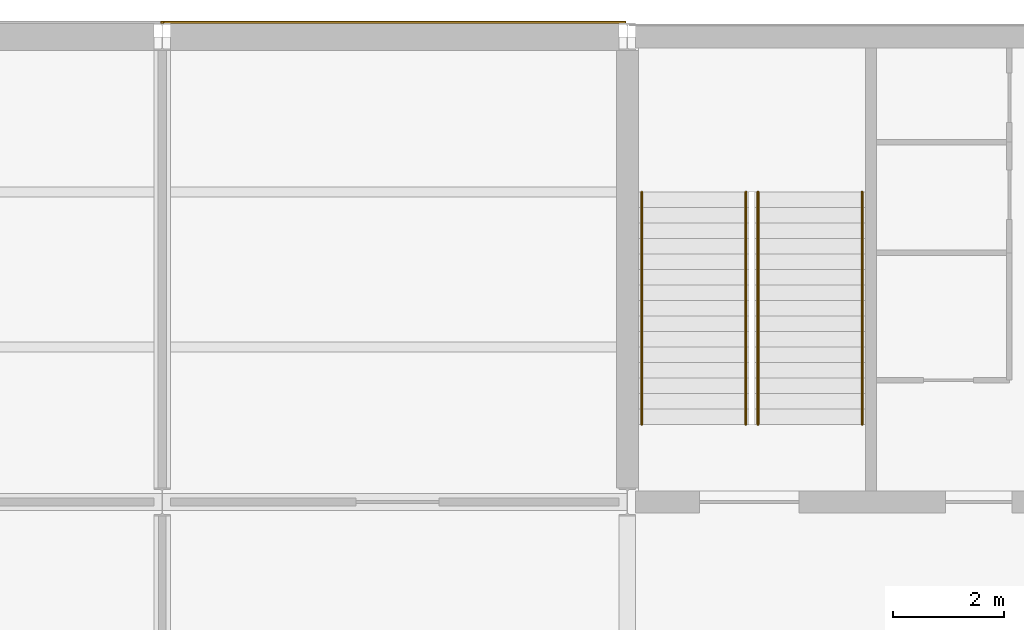
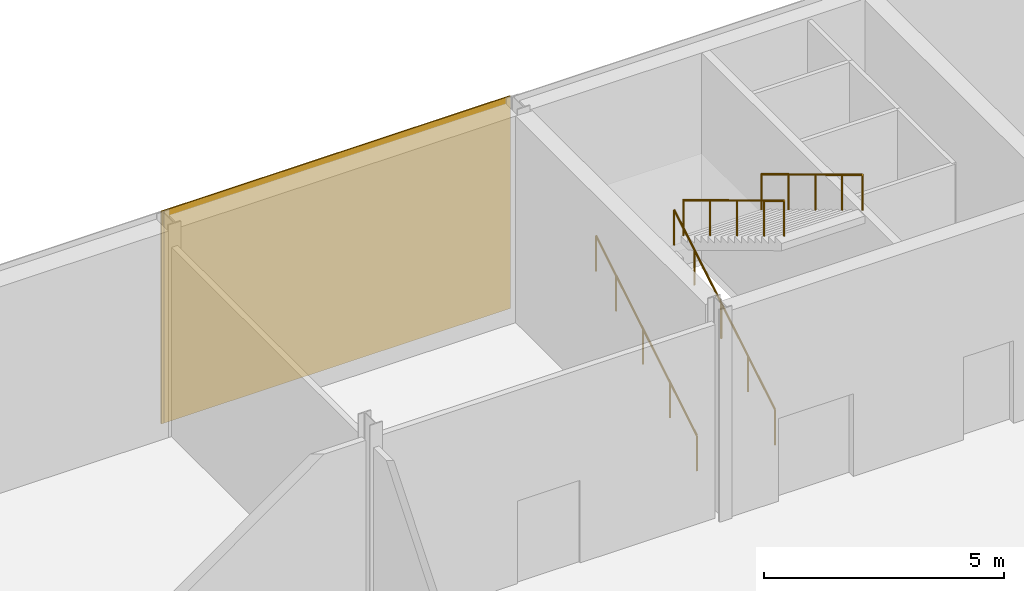
# One storey, part 54 of 64: 4 railings, 2 coverings.
"""IFC4 building model written with IfcOpenShell, lengths in metres."""

from ifc_helpers import new_model, si_unit, direction, frame, origin, origin_2d, place, context, subcontext, project, spatial, rectangle, circle, extrude, material, layer, layer_set, type_object, element, save


model = new_model("IFC4")

# Units and contexts
model_context = context("Model", 3, precision=1e-05, world=origin(), true_north=direction((0.0, 1.0)))
body_context = subcontext(model_context, "Body", "Model", "MODEL_VIEW")
ifc_project = project(units=[si_unit("LENGTHUNIT", "METRE"), si_unit("AREAUNIT", "SQUARE_METRE"), si_unit("VOLUMEUNIT", "CUBIC_METRE"), si_unit("PLANEANGLEUNIT", "RADIAN"), si_unit("MASSUNIT", "GRAM", prefix="KILO")], contexts=[model_context])

# Site, building, storey
site_placement = place(None, origin())
site = spatial("IfcSite", under=ifc_project, at=site_placement, CompositionType="ELEMENT")
building_placement = place(site_placement, origin())
building = spatial("IfcBuilding", under=site, at=building_placement, Name="Galleria Vessillo Department Store", CompositionType="ELEMENT")
storey_placement = place(building_placement, frame((0.0, 0.0, 6.0)))
storey = spatial("IfcBuildingStorey", under=building, at=storey_placement, Name="L01", CompositionType="ELEMENT", Elevation=6.0)

# Coverings
ifc_material_1 = material(Name="Lime plaster (intonaco) ochre")
ifc_layer = layer(ifc_material_1, 0.030029296875)
ifc_layer_set = layer_set([ifc_layer], Name="Lime plaster (intonaco) ochre")
covering_type = type_object("IfcCoveringType", Name="Lime plaster render 30 mm", PredefinedType="CLADDING", material=ifc_layer_set)
covering_1_placement = place(storey_placement, frame((54.60009765625, 63.264892578125, 0.0), z_axis=(0.0, 0.0, 1.0), x_axis=(1.0, 0.0, 0.0)))
element("IfcCovering", 1, at=covering_1_placement, inside=storey, type_object=covering_type, Name="Wall cladding S-PN-L01-05", PredefinedType="CLADDING", context=body_context, shape_type="SweptSolid", body=[
    extrude(rectangle(XDim=8.34033203125, YDim=0.030029296875, at=origin_2d()), origin(), (0.0, 0.0, 1.0), 5.39990234375),
])
covering_2_placement = place(storey_placement, frame((50.39990234375, 63.264892578125, 0.0), z_axis=(0.0, 0.0, 1.0), x_axis=(1.0, 0.0, 0.0)))
element("IfcCovering", 2, at=covering_2_placement, inside=storey, type_object=covering_type, Name="Joint block Wall cladding S-PN-L01-04", PredefinedType="CLADDING", context=body_context, shape_type="SweptSolid", body=[
    extrude(rectangle(XDim=0.059814453125, YDim=0.030029296875, at=origin_2d()), origin(), (0.0, 0.0, 1.0), 5.39990234375),
])

# Railings
ifc_material_2 = material(Name="Stainless steel tube", Category="steel")
railing_type = type_object("IfcRailingType", Name="Stair handrail steel tube 48 mm", PredefinedType="HANDRAIL", material=ifc_material_2)
for number, where, name in (
    (3, (59.06005859375, 56.0, 0.168701171875), "Handrail ST11 L01 flight 1A"),
    (4, (60.93994140625, 56.0, 0.168701171875), "Handrail ST11 L01 flight 1B"),
):
    element("IfcRailing", number, at=place(storey_placement, frame(where)), inside=storey, type_object=railing_type, Name=name, PredefinedType="HANDRAIL", context=body_context, shape_type="SweptSolid", body=[
        extrude(circle(Radius=0.02392578125, at=origin_2d()), frame((0.0, 0.0, 0.89599609375), z_axis=(0.0, 0.856486514401, 0.516169401116), x_axis=(-1.0, 0.0, 0.0)), (0.0, 0.0, 1.0), 1.307861328125),
        extrude(circle(Radius=0.02392578125, at=origin_2d()), frame((0.0, 1.1201171875, 1.57080078125), z_axis=(0.0, 0.856436765236, 0.516251941548), x_axis=(-1.0, 0.0, 0.0)), (0.0, 0.0, 1.0), 1.3076171875),
        extrude(circle(Radius=0.02392578125, at=origin_2d()), frame((0.0, 2.239990234375, 2.24609375), z_axis=(0.0, 0.856486514401, 0.516169401116), x_axis=(-1.0, 0.0, 0.0)), (0.0, 0.0, 1.0), 1.307861328125),
        extrude(circle(Radius=0.02392578125, at=origin_2d()), frame((0.0, 3.360107421875, 2.9208984375), z_axis=(0.0, 0.856502732318, 0.516142489563), x_axis=(-1.0, 0.0, 0.0)), (0.0, 0.0, 1.0), 0.98046875),
        extrude(circle(Radius=0.02099609375, at=origin_2d()), origin(), (0.0, 0.0, 1.0), 0.871826171875),
        extrude(circle(Radius=0.02099609375, at=origin_2d()), frame((0.0, 1.1201171875, 0.675048828125)), (0.0, 0.0, 1.0), 0.871826171875),
        extrude(circle(Radius=0.02099609375, at=origin_2d()), frame((0.0, 2.239990234375, 1.35009765625)), (0.0, 0.0, 1.0), 0.871826171875),
        extrude(circle(Radius=0.02099609375, at=origin_2d()), frame((0.0, 3.360107421875, 2.025146484375)), (0.0, 0.0, 1.0), 0.871826171875),
        extrude(circle(Radius=0.02099609375, at=origin_2d()), frame((0.0, 4.199951171875, 2.53125)), (0.0, 0.0, 1.0), 0.871826171875),
    ])
for number, where, name in (
    (5, (63.0400390625, 60.199951171875, 2.86865234375), "Handrail ST11 L01 flight 2A"),
    (6, (61.16015625, 60.199951171875, 2.86865234375), "Handrail ST11 L01 flight 2B"),
):
    element("IfcRailing", number, at=place(storey_placement, frame(where)), inside=storey, type_object=railing_type, Name=name, PredefinedType="HANDRAIL", context=body_context, shape_type="SweptSolid", body=[
        extrude(circle(Radius=0.02392578125, at=origin_2d()), frame((0.0, 0.0, 0.89599609375), z_axis=(0.0, -0.856486514401, 0.516169401116), x_axis=(1.0, 0.0, 0.0)), (0.0, 0.0, 1.0), 1.307861328125),
        extrude(circle(Radius=0.02392578125, at=origin_2d()), frame((0.0, -1.1201171875, 1.57080078125), z_axis=(0.0, -0.856436765236, 0.516251941548), x_axis=(1.0, 0.0, 0.0)), (0.0, 0.0, 1.0), 1.3076171875),
        extrude(circle(Radius=0.02392578125, at=origin_2d()), frame((0.0, -2.239990234375, 2.24609375), z_axis=(0.0, -0.856486514401, 0.516169401116), x_axis=(1.0, 0.0, 0.0)), (0.0, 0.0, 1.0), 1.307861328125),
        extrude(circle(Radius=0.02392578125, at=origin_2d()), frame((0.0, -3.360107421875, 2.9208984375), z_axis=(0.0, -0.856502732318, 0.516142489563), x_axis=(1.0, 0.0, 0.0)), (0.0, 0.0, 1.0), 0.98046875),
        extrude(circle(Radius=0.02099609375, at=origin_2d()), origin(), (0.0, 0.0, 1.0), 0.871826171875),
        extrude(circle(Radius=0.02099609375, at=origin_2d()), frame((0.0, -1.1201171875, 0.675048828125)), (0.0, 0.0, 1.0), 0.871826171875),
        extrude(circle(Radius=0.02099609375, at=origin_2d()), frame((0.0, -2.239990234375, 1.35009765625)), (0.0, 0.0, 1.0), 0.871826171875),
        extrude(circle(Radius=0.02099609375, at=origin_2d()), frame((0.0, -3.360107421875, 2.025146484375)), (0.0, 0.0, 1.0), 0.871826171875),
        extrude(circle(Radius=0.02099609375, at=origin_2d()), frame((0.0, -4.199951171875, 2.53125)), (0.0, 0.0, 1.0), 0.871826171875),
    ])

save(model, "model.ifc")
